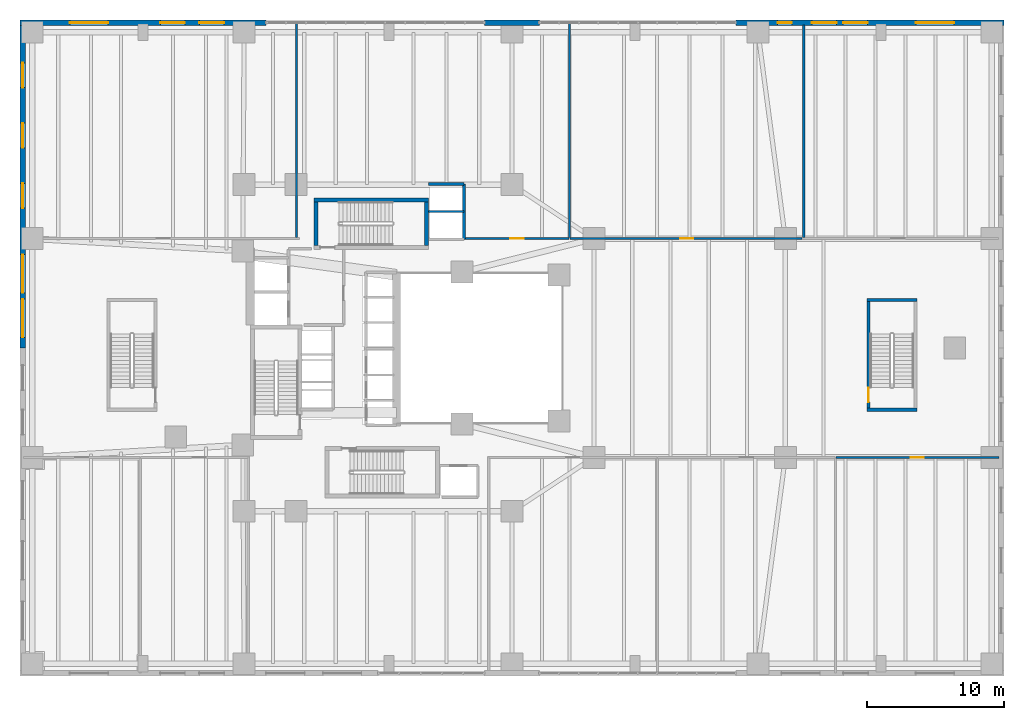
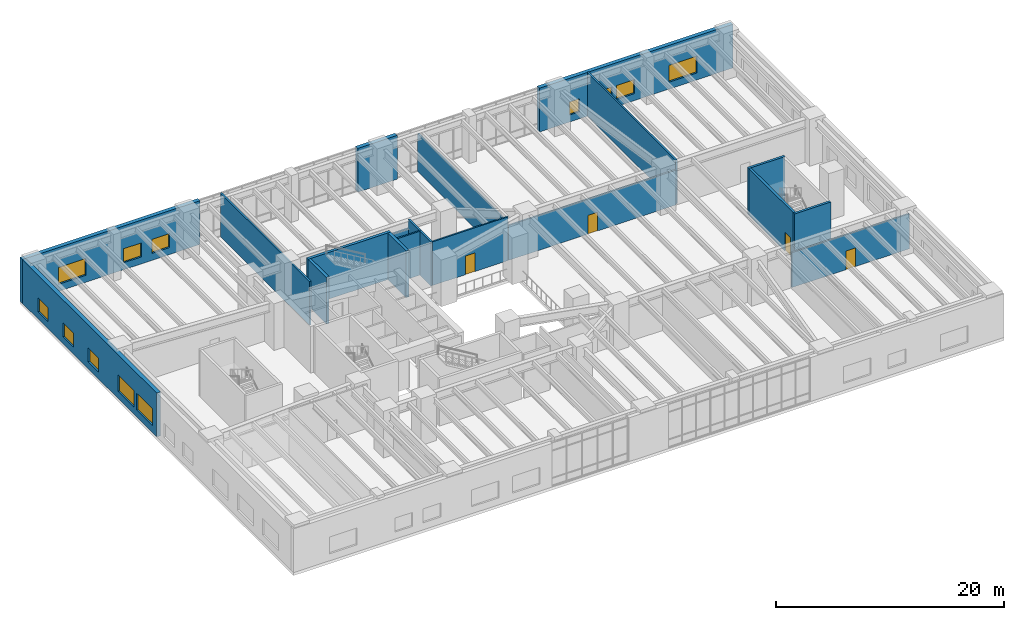
# One storey, part 23 of 26: 19 walls, 12 windows, 4 doors, 16 openings.
"""IFC4 building model written with IfcOpenShell, lengths in metres."""

from ifc_helpers import new_model, si_unit, direction, frame, frame_2d, origin, place, context, subcontext, project, spatial, rectangle, extrude, material, layer, layer_set, type_object, element, fill, save


model = new_model("IFC4")

# Units and contexts
model_context = context("Model", 3, precision=1e-05, world=origin(), true_north=direction((0.0, 1.0)))
body_context = subcontext(model_context, "Body", "Model", "MODEL_VIEW")
ifc_project = project(units=[si_unit("LENGTHUNIT", "METRE"), si_unit("AREAUNIT", "SQUARE_METRE"), si_unit("VOLUMEUNIT", "CUBIC_METRE"), si_unit("PLANEANGLEUNIT", "RADIAN"), si_unit("MASSUNIT", "GRAM", prefix="KILO"), si_unit("THERMODYNAMICTEMPERATUREUNIT", "KELVIN"), si_unit("POWERUNIT", "WATT")], contexts=[model_context])

# Site, building, storey
site_placement = place(None, origin())
site = spatial("IfcSite", under=ifc_project, at=site_placement, CompositionType="ELEMENT")
building_placement = place(site_placement, origin())
building = spatial("IfcBuilding", under=site, at=building_placement, Name="Skarre Station Tower", CompositionType="ELEMENT")
storey_placement = place(building_placement, frame((0.0, 0.0, 6.0)))
storey = spatial("IfcBuildingStorey", under=building, at=storey_placement, Name="L02", CompositionType="ELEMENT", Elevation=6.0)

# Wall, opening, door
ifc_material_1 = material(Name="Acoustic Steel-Stud Gypsum Partition", Category="steel")
ifc_layer_1 = layer(ifc_material_1, 0.14990234375, Name="Acoustic Steel-Stud Gypsum Partition")
ifc_layer_set_1 = layer_set([ifc_layer_1], Name="Acoustic Steel-Stud Gypsum Partition")
wall_type_1 = type_object("IfcWallType", Name="Fire-Rated Corridor Acoustic Partition 150", PredefinedType="PARTITIONING", material=ifc_layer_set_1)
wall_1_placement = place(storey_placement, frame((59.7041015625, 15.97998046875, 0.0), z_axis=(0.0, 0.0, 1.0), x_axis=(1.0, 0.0, 0.0)))
wall_1 = element("IfcWall", 1, at=wall_1_placement, inside=storey, type_object=wall_type_1, Name="L02 Interior Partition WL-PT-L02-PDSE3-CW", PredefinedType="PARTITIONING", context=body_context, shape_type="SweptSolid", body=[
    extrude(rectangle(XDim=11.916015625, YDim=0.14990234375, at=frame_2d((5.9580078125, 0.0))), origin(), (0.0, 0.0, 1.0), 3.741943359375),
])
opening_1_placement = place(wall_1_placement, frame((5.47802734375, 0.0, 0.0)))
opening_1 = element("IfcOpeningElement", 2, at=opening_1_placement, cuts=wall_1, Name="Opening DR-FD60", PredefinedType="OPENING", context=body_context, shape_type="SweptSolid", body=[
    extrude(rectangle(XDim=0.9599609375, YDim=2.0, at=frame_2d((0.47998046875, 1.0))), frame((0.0, 0.0849609375, 0.0), z_axis=(0.0, -1.0, 0.0), x_axis=(1.0, 0.0, 0.0)), (0.0, 0.0, 1.0), 0.169921875),
])
ifc_material_2 = material(Name="Nordic White-Oak Veneer Solid-Core Fire Leaf", Category="wood")
door_type_1 = type_object("IfcDoorType", Name="Corridor Suite Entry Fire Door FD60 960x2150", OperationType="SINGLE_SWING_LEFT", PredefinedType="DOOR", material=ifc_material_2)
door_1_placement = place(opening_1_placement, origin())
door_1 = element("IfcDoor", 3, at=door_1_placement, inside=storey, type_object=door_type_1, Name="L02 PDSE3 Entry Door", OperationType="SINGLE_SWING_LEFT", OverallHeight=2.0, OverallWidth=0.9599609375, PredefinedType="DOOR", context=body_context, shape_type="SweptSolid", body=[
    extrude(rectangle(XDim=0.9599609375, YDim=2.0, at=frame_2d((0.47998046875, 1.0))), frame((0.0, 0.02490234375, 0.0), z_axis=(0.0, -1.0, 0.0), x_axis=(1.0, 0.0, 0.0)), (0.0, 0.0, 1.0), 0.050048828125),
])
fill(opening_1, door_1)

wall_2_placement = place(storey_placement, frame((40.18701171875, 32.02001953125, 0.0), z_axis=(0.0, 0.0, 1.0), x_axis=(-1.0, 0.0, 0.0)))
wall_2 = element("IfcWall", 4, at=wall_2_placement, inside=storey, type_object=wall_type_1, Name="L02 Interior Partition WL-PT-L02-PDN2-CW", PredefinedType="PARTITIONING", context=body_context, shape_type="SweptSolid", body=[
    extrude(rectangle(XDim=7.64599609375, YDim=0.14990234375, at=frame_2d((3.822998046875, 0.0))), origin(), (0.0, 0.0, 1.0), 4.68994140625),
])
opening_2_placement = place(wall_2_placement, frame((3.343017578125, 0.0, 0.0)))
opening_2 = element("IfcOpeningElement", 5, at=opening_2_placement, cuts=wall_2, Name="Opening DR-FD60", PredefinedType="OPENING", context=body_context, shape_type="SweptSolid", body=[
    extrude(rectangle(XDim=0.9599609375, YDim=2.0, at=frame_2d((0.47998046875, 1.0))), frame((0.0, 0.0849609375, 0.0), z_axis=(0.0, -1.0, 0.0), x_axis=(1.0, 0.0, 0.0)), (0.0, 0.0, 1.0), 0.169921875),
])
door_2_placement = place(opening_2_placement, origin())
door_2 = element("IfcDoor", 6, at=door_2_placement, inside=storey, type_object=door_type_1, Name="L02 PDN2 Entry Door", OperationType="SINGLE_SWING_LEFT", OverallHeight=2.0, OverallWidth=0.9599609375, PredefinedType="DOOR", context=body_context, shape_type="SweptSolid", body=[
    extrude(rectangle(XDim=0.9599609375, YDim=2.0, at=frame_2d((0.47998046875, 1.0))), frame((0.0, 0.02490234375, 0.0), z_axis=(0.0, -1.0, 0.0), x_axis=(1.0, 0.0, 0.0)), (0.0, 0.0, 1.0), 0.050048828125),
])
fill(opening_2, door_2)

wall_3_placement = place(storey_placement, frame((57.214111328125, 32.02001953125, 0.0), z_axis=(0.0, 0.0, 1.0), x_axis=(-1.0, 0.0, 0.0)))
wall_3 = element("IfcWall", 7, at=wall_3_placement, inside=storey, type_object=wall_type_1, Name="L02 Interior Partition WL-PT-L02-PDN3-CW", PredefinedType="PARTITIONING", context=body_context, shape_type="SweptSolid", body=[
    extrude(rectangle(XDim=16.97509765625, YDim=0.14990234375, at=frame_2d((8.487548828125, 0.0))), origin(), (0.0, 0.0, 1.0), 3.741943359375),
])
opening_3_placement = place(wall_3_placement, frame((7.9560546875, 0.0, 0.0)))
opening_3 = element("IfcOpeningElement", 8, at=opening_3_placement, cuts=wall_3, Name="Opening DR-FD60", PredefinedType="OPENING", context=body_context, shape_type="SweptSolid", body=[
    extrude(rectangle(XDim=0.9599609375, YDim=2.0, at=frame_2d((0.47998046875, 1.0))), frame((0.0, 0.0849609375, 0.0), z_axis=(0.0, -1.0, 0.0), x_axis=(1.0, 0.0, 0.0)), (0.0, 0.0, 1.0), 0.169921875),
])
door_3_placement = place(opening_3_placement, origin())
door_3 = element("IfcDoor", 9, at=door_3_placement, inside=storey, type_object=door_type_1, Name="L02 PDN3 Entry Door", OperationType="SINGLE_SWING_LEFT", OverallHeight=2.0, OverallWidth=0.9599609375, PredefinedType="DOOR", context=body_context, shape_type="SweptSolid", body=[
    extrude(rectangle(XDim=0.9599609375, YDim=2.0, at=frame_2d((0.47998046875, 1.0))), frame((0.0, 0.02490234375, 0.0), z_axis=(0.0, -1.0, 0.0), x_axis=(1.0, 0.0, 0.0)), (0.0, 0.0, 1.0), 0.050048828125),
])
fill(opening_3, door_3)

# Wall, openings, windows
ifc_material_3 = material(Name="Precast concrete C45/55", Category="concrete")
ifc_layer_2 = layer(ifc_material_3, 0.39990234375, Name="Precast concrete C45/55")
ifc_layer_set_2 = layer_set([ifc_layer_2], Name="Precast concrete C45/55")
wall_type_2 = type_object("IfcWallType", Name="Nordic Granite Station Podium Wall 400", PredefinedType="STANDARD", material=ifc_layer_set_2)
wall_4_placement = place(storey_placement, frame((0.0, 47.800048828125, 0.0), z_axis=(0.0, 0.0, 1.0), x_axis=(1.0, 0.0, 0.0)))
wall_4 = element("IfcWall", 10, at=wall_4_placement, inside=storey, type_object=wall_type_2, Name="L02 North Podium Granite Wall NA", PredefinedType="STANDARD", context=body_context, shape_type="SweptSolid", body=[
    extrude(rectangle(XDim=18.0, YDim=0.39990234375, at=frame_2d((9.0, 0.0))), origin(), (0.0, 0.0, 1.0), 4.68994140625),
])
opening_4_placement = place(wall_4_placement, frame((3.64990234375, 0.0, 0.75)))
opening_4 = element("IfcOpeningElement", 11, at=opening_4_placement, cuts=wall_4, Name="Opening WN-POD", PredefinedType="OPENING", context=body_context, shape_type="SweptSolid", body=[
    extrude(rectangle(XDim=2.800048828125, YDim=1.800048828125, at=frame_2d((1.39990234375, 0.89990234375))), frame((0.0, 0.2099609375, 0.0), z_axis=(0.0, -1.0, 0.0), x_axis=(1.0, 0.0, 0.0)), (0.0, 0.0, 1.0), 0.419921875),
])
opening_5_placement = place(wall_4_placement, frame((10.27001953125, 0.0, 0.75)))
opening_5 = element("IfcOpeningElement", 12, at=opening_5_placement, cuts=wall_4, Name="Opening WN-Z1A", PredefinedType="OPENING", context=body_context, shape_type="SweptSolid", body=[
    extrude(rectangle(XDim=1.800048828125, YDim=1.5, at=frame_2d((0.89990234375, 0.75))), frame((0.0, 0.2099609375, 0.0), z_axis=(0.0, -1.0, 0.0), x_axis=(1.0, 0.0, 0.0)), (0.0, 0.0, 1.0), 0.419921875),
])
opening_6_placement = place(wall_4_placement, frame((13.1298828125, 0.0, 0.75)))
opening_6 = element("IfcOpeningElement", 13, at=opening_6_placement, cuts=wall_4, Name="Opening WN-Z1A", PredefinedType="OPENING", context=body_context, shape_type="SweptSolid", body=[
    extrude(rectangle(XDim=1.800048828125, YDim=1.5, at=frame_2d((0.89990234375, 0.75))), frame((0.0, 0.2099609375, 0.0), z_axis=(0.0, -1.0, 0.0), x_axis=(1.0, 0.0, 0.0)), (0.0, 0.0, 1.0), 0.419921875),
])
ifc_material_4 = material(Name="Low-Iron Triple Glazing with Bronze Anodized Frame", Category="glass")
window_type_1 = type_object("IfcWindowType", Name="Nordic Punched Triple-Glazed Window 1800x1500", PartitioningType="SINGLE_PANEL", PredefinedType="WINDOW", material=ifc_material_4)
window_1_placement = place(opening_5_placement, origin())
window_1 = element("IfcWindow", 14, at=window_1_placement, inside=storey, type_object=window_type_1, Name="L02 Facade Window WL-POD-L02-NA-2", OverallHeight=1.5, OverallWidth=1.800048828125, PartitioningType="SINGLE_PANEL", PredefinedType="WINDOW", context=body_context, shape_type="SweptSolid", body=[
    extrude(rectangle(XDim=1.800048828125, YDim=1.5, at=frame_2d((0.89990234375, 0.75))), frame((0.0, 0.030029296875, 0.0), z_axis=(0.0, -1.0, 0.0), x_axis=(1.0, 0.0, 0.0)), (0.0, 0.0, 1.0), 0.06005859375),
])
fill(opening_5, window_1)
window_2_placement = place(opening_6_placement, origin())
window_2 = element("IfcWindow", 15, at=window_2_placement, inside=storey, type_object=window_type_1, Name="L02 Facade Window WL-POD-L02-NA-3", OverallHeight=1.5, OverallWidth=1.800048828125, PartitioningType="SINGLE_PANEL", PredefinedType="WINDOW", context=body_context, shape_type="SweptSolid", body=[
    extrude(rectangle(XDim=1.800048828125, YDim=1.5, at=frame_2d((0.89990234375, 0.75))), frame((0.0, 0.030029296875, 0.0), z_axis=(0.0, -1.0, 0.0), x_axis=(1.0, 0.0, 0.0)), (0.0, 0.0, 1.0), 0.06005859375),
])
fill(opening_6, window_2)
window_type_2 = type_object("IfcWindowType", Name="Podium Clerestory Ribbon Window 2800x1800", PartitioningType="SINGLE_PANEL", PredefinedType="WINDOW", material=ifc_material_4)
window_3_placement = place(opening_4_placement, origin())
window_3 = element("IfcWindow", 16, at=window_3_placement, inside=storey, type_object=window_type_2, Name="L02 Facade Window WL-POD-L02-NA-1", OverallHeight=1.800048828125, OverallWidth=2.800048828125, PartitioningType="SINGLE_PANEL", PredefinedType="WINDOW", context=body_context, shape_type="SweptSolid", body=[
    extrude(rectangle(XDim=2.800048828125, YDim=1.800048828125, at=frame_2d((1.39990234375, 0.89990234375))), frame((0.0, 0.030029296875, 0.0), z_axis=(0.0, -1.0, 0.0), x_axis=(1.0, 0.0, 0.0)), (0.0, 0.0, 1.0), 0.06005859375),
])
fill(opening_4, window_3)

# Wall
wall_5_placement = place(storey_placement, frame((34.0, 47.800048828125, 0.0), z_axis=(0.0, 0.0, 1.0), x_axis=(1.0, 0.0, 0.0)))
element("IfcWall", 17, at=wall_5_placement, inside=storey, type_object=wall_type_2, Name="L02 North Podium Granite Wall NB", PredefinedType="STANDARD", context=body_context, shape_type="SweptSolid", body=[
    extrude(rectangle(XDim=4.0, YDim=0.39990234375, at=frame_2d((2.0, 0.0))), origin(), (0.0, 0.0, 1.0), 4.68994140625),
])

# Wall, openings, windows
wall_6_placement = place(storey_placement, frame((52.39990234375, 47.800048828125, 0.0), z_axis=(0.0, 0.0, 1.0), x_axis=(1.0, 0.0, 0.0)))
wall_6 = element("IfcWall", 18, at=wall_6_placement, inside=storey, type_object=wall_type_2, Name="L02 North Podium Granite Wall NC", PredefinedType="STANDARD", context=body_context, shape_type="SweptSolid", body=[
    extrude(rectangle(XDim=19.60009765625, YDim=0.39990234375, at=frame_2d((9.800048828125, 0.0))), origin(), (0.0, 0.0, 1.0), 4.68994140625),
])
opening_7_placement = place(wall_6_placement, frame((3.035888671875, 0.0, 0.75)))
opening_7 = element("IfcOpeningElement", 19, at=opening_7_placement, cuts=wall_6, Name="Opening WN-SLT", PredefinedType="OPENING", context=body_context, shape_type="SweptSolid", body=[
    extrude(rectangle(XDim=1.050048828125, YDim=1.39990234375, at=frame_2d((0.52490234375, 0.699951171875))), frame((0.0, 0.2099609375, 0.0), z_axis=(0.0, -1.0, 0.0), x_axis=(1.0, 0.0, 0.0)), (0.0, 0.0, 1.0), 0.419921875),
])
opening_8_placement = place(wall_6_placement, frame((5.544921875, 0.0, 0.75)))
opening_8 = element("IfcOpeningElement", 20, at=opening_8_placement, cuts=wall_6, Name="Opening WN-Z1A", PredefinedType="OPENING", context=body_context, shape_type="SweptSolid", body=[
    extrude(rectangle(XDim=1.800048828125, YDim=1.5, at=frame_2d((0.89990234375, 0.75))), frame((0.0, 0.2099609375, 0.0), z_axis=(0.0, -1.0, 0.0), x_axis=(1.0, 0.0, 0.0)), (0.0, 0.0, 1.0), 0.419921875),
])
opening_9_placement = place(wall_6_placement, frame((7.822021484375, 0.0, 0.75)))
opening_9 = element("IfcOpeningElement", 21, at=opening_9_placement, cuts=wall_6, Name="Opening WN-Z1A", PredefinedType="OPENING", context=body_context, shape_type="SweptSolid", body=[
    extrude(rectangle(XDim=1.800048828125, YDim=1.5, at=frame_2d((0.89990234375, 0.75))), frame((0.0, 0.2099609375, 0.0), z_axis=(0.0, -1.0, 0.0), x_axis=(1.0, 0.0, 0.0)), (0.0, 0.0, 1.0), 0.419921875),
])
opening_10_placement = place(wall_6_placement, frame((13.14990234375, 0.0, 0.75)))
opening_10 = element("IfcOpeningElement", 22, at=opening_10_placement, cuts=wall_6, Name="Opening WN-POD", PredefinedType="OPENING", context=body_context, shape_type="SweptSolid", body=[
    extrude(rectangle(XDim=2.800048828125, YDim=1.800048828125, at=frame_2d((1.39990234375, 0.89990234375))), frame((0.0, 0.2099609375, 0.0), z_axis=(0.0, -1.0, 0.0), x_axis=(1.0, 0.0, 0.0)), (0.0, 0.0, 1.0), 0.419921875),
])
window_type_3 = type_object("IfcWindowType", Name="Nordic Corner Slot Window 1050x1400", PartitioningType="SINGLE_PANEL", PredefinedType="WINDOW", material=ifc_material_4)
window_4_placement = place(opening_7_placement, origin())
window_4 = element("IfcWindow", 23, at=window_4_placement, inside=storey, type_object=window_type_3, Name="L02 Facade Window WL-POD-L02-NC-1", OverallHeight=1.39990234375, OverallWidth=1.050048828125, PartitioningType="SINGLE_PANEL", PredefinedType="WINDOW", context=body_context, shape_type="SweptSolid", body=[
    extrude(rectangle(XDim=1.050048828125, YDim=1.39990234375, at=frame_2d((0.52490234375, 0.699951171875))), frame((0.0, 0.030029296875, 0.0), z_axis=(0.0, -1.0, 0.0), x_axis=(1.0, 0.0, 0.0)), (0.0, 0.0, 1.0), 0.06005859375),
])
fill(opening_7, window_4)
window_5_placement = place(opening_8_placement, origin())
window_5 = element("IfcWindow", 24, at=window_5_placement, inside=storey, type_object=window_type_1, Name="L02 Facade Window WL-POD-L02-NC-2", OverallHeight=1.5, OverallWidth=1.800048828125, PartitioningType="SINGLE_PANEL", PredefinedType="WINDOW", context=body_context, shape_type="SweptSolid", body=[
    extrude(rectangle(XDim=1.800048828125, YDim=1.5, at=frame_2d((0.89990234375, 0.75))), frame((0.0, 0.030029296875, 0.0), z_axis=(0.0, -1.0, 0.0), x_axis=(1.0, 0.0, 0.0)), (0.0, 0.0, 1.0), 0.06005859375),
])
fill(opening_8, window_5)
window_6_placement = place(opening_9_placement, origin())
window_6 = element("IfcWindow", 25, at=window_6_placement, inside=storey, type_object=window_type_1, Name="L02 Facade Window WL-POD-L02-NC-3", OverallHeight=1.5, OverallWidth=1.800048828125, PartitioningType="SINGLE_PANEL", PredefinedType="WINDOW", context=body_context, shape_type="SweptSolid", body=[
    extrude(rectangle(XDim=1.800048828125, YDim=1.5, at=frame_2d((0.89990234375, 0.75))), frame((0.0, 0.030029296875, 0.0), z_axis=(0.0, -1.0, 0.0), x_axis=(1.0, 0.0, 0.0)), (0.0, 0.0, 1.0), 0.06005859375),
])
fill(opening_9, window_6)
window_7_placement = place(opening_10_placement, origin())
window_7 = element("IfcWindow", 26, at=window_7_placement, inside=storey, type_object=window_type_2, Name="L02 Facade Window WL-POD-L02-NC-4", OverallHeight=1.800048828125, OverallWidth=2.800048828125, PartitioningType="SINGLE_PANEL", PredefinedType="WINDOW", context=body_context, shape_type="SweptSolid", body=[
    extrude(rectangle(XDim=2.800048828125, YDim=1.800048828125, at=frame_2d((1.39990234375, 0.89990234375))), frame((0.0, 0.030029296875, 0.0), z_axis=(0.0, -1.0, 0.0), x_axis=(1.0, 0.0, 0.0)), (0.0, 0.0, 1.0), 0.06005859375),
])
fill(opening_10, window_7)

wall_7_placement = place(storey_placement, frame((0.199951171875, 24.0, 0.0), z_axis=(0.0, 0.0, 1.0), x_axis=(0.0, 1.0, 0.0)))
wall_7 = element("IfcWall", 27, at=wall_7_placement, inside=storey, type_object=wall_type_2, Name="L02 Podium Granite Wall WB", PredefinedType="STANDARD", context=body_context, shape_type="SweptSolid", body=[
    extrude(rectangle(XDim=23.60009765625, YDim=0.39990234375, at=frame_2d((11.800048828125, 0.0))), origin(), (0.0, 0.0, 1.0), 4.68994140625),
])
opening_11_placement = place(wall_7_placement, frame((0.778076171875, 0.0, 0.75)))
opening_11 = element("IfcOpeningElement", 28, at=opening_11_placement, cuts=wall_7, Name="Opening WN-POD", PredefinedType="OPENING", context=body_context, shape_type="SweptSolid", body=[
    extrude(rectangle(XDim=2.800048828125, YDim=1.800048828125, at=frame_2d((1.39990234375, 0.89990234375))), frame((0.0, 0.2099609375, 0.0), z_axis=(0.0, -1.0, 0.0), x_axis=(1.0, 0.0, 0.0)), (0.0, 0.0, 1.0), 0.419921875),
])
opening_12_placement = place(wall_7_placement, frame((4.032958984375, 0.0, 0.75)))
opening_12 = element("IfcOpeningElement", 29, at=opening_12_placement, cuts=wall_7, Name="Opening WN-POD", PredefinedType="OPENING", context=body_context, shape_type="SweptSolid", body=[
    extrude(rectangle(XDim=2.800048828125, YDim=1.800048828125, at=frame_2d((1.39990234375, 0.89990234375))), frame((0.0, 0.2099609375, 0.0), z_axis=(0.0, -1.0, 0.0), x_axis=(1.0, 0.0, 0.0)), (0.0, 0.0, 1.0), 0.419921875),
])
opening_13_placement = place(wall_7_placement, frame((10.242919921875, 0.0, 0.75)))
opening_13 = element("IfcOpeningElement", 30, at=opening_13_placement, cuts=wall_7, Name="Opening WN-Z1A", PredefinedType="OPENING", context=body_context, shape_type="SweptSolid", body=[
    extrude(rectangle(XDim=1.800048828125, YDim=1.5, at=frame_2d((0.89990234375, 0.75))), frame((0.0, 0.2099609375, 0.0), z_axis=(0.0, -1.0, 0.0), x_axis=(1.0, 0.0, 0.0)), (0.0, 0.0, 1.0), 0.419921875),
])
opening_14_placement = place(wall_7_placement, frame((14.64990234375, 0.0, 0.75)))
opening_14 = element("IfcOpeningElement", 31, at=opening_14_placement, cuts=wall_7, Name="Opening WN-Z1A", PredefinedType="OPENING", context=body_context, shape_type="SweptSolid", body=[
    extrude(rectangle(XDim=1.800048828125, YDim=1.5, at=frame_2d((0.89990234375, 0.75))), frame((0.0, 0.2099609375, 0.0), z_axis=(0.0, -1.0, 0.0), x_axis=(1.0, 0.0, 0.0)), (0.0, 0.0, 1.0), 0.419921875),
])
opening_15_placement = place(wall_7_placement, frame((19.056884765625, 0.0, 0.75)))
opening_15 = element("IfcOpeningElement", 32, at=opening_15_placement, cuts=wall_7, Name="Opening WN-Z1A", PredefinedType="OPENING", context=body_context, shape_type="SweptSolid", body=[
    extrude(rectangle(XDim=1.800048828125, YDim=1.5, at=frame_2d((0.89990234375, 0.75))), frame((0.0, 0.2099609375, 0.0), z_axis=(0.0, -1.0, 0.0), x_axis=(1.0, 0.0, 0.0)), (0.0, 0.0, 1.0), 0.419921875),
])
window_8_placement = place(opening_13_placement, origin())
window_8 = element("IfcWindow", 33, at=window_8_placement, inside=storey, type_object=window_type_1, Name="L02 Facade Window WL-POD-L02-WB-3", OverallHeight=1.5, OverallWidth=1.800048828125, PartitioningType="SINGLE_PANEL", PredefinedType="WINDOW", context=body_context, shape_type="SweptSolid", body=[
    extrude(rectangle(XDim=1.800048828125, YDim=1.5, at=frame_2d((0.89990234375, 0.75))), frame((0.0, 0.030029296875, 0.0), z_axis=(0.0, -1.0, 0.0), x_axis=(1.0, 0.0, 0.0)), (0.0, 0.0, 1.0), 0.06005859375),
])
fill(opening_13, window_8)
window_9_placement = place(opening_14_placement, origin())
window_9 = element("IfcWindow", 34, at=window_9_placement, inside=storey, type_object=window_type_1, Name="L02 Facade Window WL-POD-L02-WB-4", OverallHeight=1.5, OverallWidth=1.800048828125, PartitioningType="SINGLE_PANEL", PredefinedType="WINDOW", context=body_context, shape_type="SweptSolid", body=[
    extrude(rectangle(XDim=1.800048828125, YDim=1.5, at=frame_2d((0.89990234375, 0.75))), frame((0.0, 0.030029296875, 0.0), z_axis=(0.0, -1.0, 0.0), x_axis=(1.0, 0.0, 0.0)), (0.0, 0.0, 1.0), 0.06005859375),
])
fill(opening_14, window_9)
window_10_placement = place(opening_15_placement, origin())
window_10 = element("IfcWindow", 35, at=window_10_placement, inside=storey, type_object=window_type_1, Name="L02 Facade Window WL-POD-L02-WB-5", OverallHeight=1.5, OverallWidth=1.800048828125, PartitioningType="SINGLE_PANEL", PredefinedType="WINDOW", context=body_context, shape_type="SweptSolid", body=[
    extrude(rectangle(XDim=1.800048828125, YDim=1.5, at=frame_2d((0.89990234375, 0.75))), frame((0.0, 0.030029296875, 0.0), z_axis=(0.0, -1.0, 0.0), x_axis=(1.0, 0.0, 0.0)), (0.0, 0.0, 1.0), 0.06005859375),
])
fill(opening_15, window_10)
window_11_placement = place(opening_11_placement, origin())
window_11 = element("IfcWindow", 36, at=window_11_placement, inside=storey, type_object=window_type_2, Name="L02 Facade Window WL-POD-L02-WB-1", OverallHeight=1.800048828125, OverallWidth=2.800048828125, PartitioningType="SINGLE_PANEL", PredefinedType="WINDOW", context=body_context, shape_type="SweptSolid", body=[
    extrude(rectangle(XDim=2.800048828125, YDim=1.800048828125, at=frame_2d((1.39990234375, 0.89990234375))), frame((0.0, 0.030029296875, 0.0), z_axis=(0.0, -1.0, 0.0), x_axis=(1.0, 0.0, 0.0)), (0.0, 0.0, 1.0), 0.06005859375),
])
fill(opening_11, window_11)
window_12_placement = place(opening_12_placement, origin())
window_12 = element("IfcWindow", 37, at=window_12_placement, inside=storey, type_object=window_type_2, Name="L02 Facade Window WL-POD-L02-WB-2", OverallHeight=1.800048828125, OverallWidth=2.800048828125, PartitioningType="SINGLE_PANEL", PredefinedType="WINDOW", context=body_context, shape_type="SweptSolid", body=[
    extrude(rectangle(XDim=2.800048828125, YDim=1.800048828125, at=frame_2d((1.39990234375, 0.89990234375))), frame((0.0, 0.030029296875, 0.0), z_axis=(0.0, -1.0, 0.0), x_axis=(1.0, 0.0, 0.0)), (0.0, 0.0, 1.0), 0.06005859375),
])
fill(opening_12, window_12)

# Walls
ifc_material_5 = material(Name="Concrete C50/60", Category="concrete")
ifc_layer_3 = layer(ifc_material_5, 0.239990234375, Name="Concrete C50/60")
ifc_layer_set_3 = layer_set([ifc_layer_3], Name="Concrete C50/60")
wall_type_3 = type_object("IfcWallType", Name="RC Core Shear Wall 240", PredefinedType="SHEAR", material=ifc_layer_set_3)
for number, where, z_axis, x_axis, name in (
    (38, (61.9599609375, 19.47998046875, 0.0), (0.0, 0.0, 1.0), (1.0, 0.0, 0.0), "L02 Podium Stair ST-5 South Shear Wall"),
    (39, (65.639892578125, 27.52001953125, 0.0), (0.0, 0.0, 1.0), (-1.0, 0.0, 0.0), "L02 Podium Stair ST-5 North Shear Wall"),
):
    element("IfcWall", number, at=place(storey_placement, frame(where, z_axis=z_axis, x_axis=x_axis)), inside=storey, type_object=wall_type_3, Name=name, PredefinedType="SHEAR", context=body_context, shape_type="SweptSolid", body=[
        extrude(rectangle(XDim=3.679931640625, YDim=0.239990234375, at=frame_2d((1.83984375, 0.0))), origin(), (0.0, 0.0, 1.0), 5.0),
    ])

# Wall, opening, door
wall_8_placement = place(storey_placement, frame((62.080078125, 27.39990234375, 0.0), z_axis=(0.0, 0.0, 1.0), x_axis=(0.0, -1.0, 0.0)))
wall_8 = element("IfcWall", 40, at=wall_8_placement, inside=storey, type_object=wall_type_3, Name="L02 Podium Stair ST-5 West Shear Wall", PredefinedType="SHEAR", context=body_context, shape_type="SweptSolid", body=[
    extrude(rectangle(XDim=7.7998046875, YDim=0.239990234375, at=frame_2d((3.89990234375, 0.0))), origin(), (0.0, 0.0, 1.0), 5.0),
])
opening_16_placement = place(wall_8_placement, frame((6.31005859375, 0.0, 0.0)))
opening_16 = element("IfcOpeningElement", 41, at=opening_16_placement, cuts=wall_8, Name="Opening DR-FD90", PredefinedType="OPENING", context=body_context, shape_type="SweptSolid", body=[
    extrude(rectangle(XDim=1.050048828125, YDim=2.0, at=frame_2d((0.52490234375, 1.0))), frame((0.0, 0.1298828125, 0.0), z_axis=(0.0, -1.0, 0.0), x_axis=(1.0, 0.0, 0.0)), (0.0, 0.0, 1.0), 0.260009765625),
])
ifc_material_6 = material(Name="Fire-Rated Insulated Steel Frame & Timber Core Leaf", Category="steel")
door_type_2 = type_object("IfcDoorType", Name="Stair & FSAE Lobby Fire Door FD90 1050x2150", OperationType="SINGLE_SWING_RIGHT", PredefinedType="DOOR", material=ifc_material_6)
door_4_placement = place(opening_16_placement, origin())
door_4 = element("IfcDoor", 42, at=door_4_placement, inside=storey, type_object=door_type_2, Name="L02 Podium Stair ST-5 Exit Door", OperationType="SINGLE_SWING_LEFT", OverallHeight=2.0, OverallWidth=1.050048828125, PredefinedType="DOOR", context=body_context, shape_type="SweptSolid", body=[
    extrude(rectangle(XDim=1.050048828125, YDim=2.0, at=frame_2d((0.52490234375, 1.0))), frame((0.0, 0.02490234375, 0.0), z_axis=(0.0, -1.0, 0.0), x_axis=(1.0, 0.0, 0.0)), (0.0, 0.0, 1.0), 0.050048828125),
])
fill(opening_16, door_4)

# Walls
ifc_layer_4 = layer(ifc_material_5, 0.280029296875, Name="Concrete C50/60")
ifc_layer_set_4 = layer_set([ifc_layer_4], Name="Concrete C50/60")
wall_type_4 = type_object("IfcWallType", Name="RC Core Shear Wall 280", PredefinedType="SHEAR", material=ifc_layer_set_4)
wall_9_placement = place(storey_placement, frame((29.8798828125, 34.840087890625, 0.0), z_axis=(0.0, 0.0, 1.0), x_axis=(-1.0, 0.0, 0.0)))
element("IfcWall", 43, at=wall_9_placement, inside=storey, type_object=wall_type_4, Name="L02 Stair ST-3 North Shear Wall", PredefinedType="SHEAR", context=body_context, shape_type="SweptSolid", body=[
    extrude(rectangle(XDim=8.35986328125, YDim=0.280029296875, at=frame_2d((4.179931640625, 0.0))), origin(), (0.0, 0.0, 1.0), 5.0),
])
for number, where, z_axis, x_axis, name in (
    (44, (21.659912109375, 34.699951171875, 0.0), (0.0, 0.0, 1.0), (0.0, -1.0, 0.0), "L02 Stair ST-3 West Shear Wall"),
    (45, (29.739990234375, 31.5, 0.0), (0.0, 0.0, 1.0), (0.0, 1.0, 0.0), "L02 Stair ST-3 East Shear Wall"),
):
    element("IfcWall", number, at=place(storey_placement, frame(where, z_axis=z_axis, x_axis=x_axis)), inside=storey, type_object=wall_type_4, Name=name, PredefinedType="SHEAR", context=body_context, shape_type="SweptSolid", body=[
        extrude(rectangle(XDim=3.199951171875, YDim=0.280029296875, at=frame_2d((1.60009765625, 0.0))), origin(), (0.0, 0.0, 1.0), 5.0),
    ])
ifc_material_7 = material(Name="Gypsum Concrete Shaft Assembly C30/37", Category="concrete")
ifc_layer_5 = layer(ifc_material_7, 0.199951171875, Name="Gypsum Concrete Shaft Assembly C30/37")
ifc_layer_set_5 = layer_set([ifc_layer_5], Name="Gypsum Concrete Shaft Assembly C30/37")
wall_type_5 = type_object("IfcWallType", Name="Shaft & Core Fire Partition 200", PredefinedType="PARTITIONING", material=ifc_layer_set_5)
wall_10_placement = place(storey_placement, frame((32.47998046875, 31.949951171875, 0.0), z_axis=(0.0, 0.0, 1.0), x_axis=(0.0, 1.0, 0.0)))
element("IfcWall", 46, at=wall_10_placement, inside=storey, type_object=wall_type_5, Name="L02 Interior Partition WL-PT-L02-EX-E", PredefinedType="PARTITIONING", context=body_context, shape_type="SweptSolid", body=[
    extrude(rectangle(XDim=4.050048828125, YDim=0.199951171875, at=frame_2d((2.02490234375, 0.0))), origin(), (0.0, 0.0, 1.0), 4.68994140625),
])
wall_11_placement = place(storey_placement, frame((29.8798828125, 36.0, 0.0), z_axis=(0.0, 0.0, 1.0), x_axis=(1.0, 0.0, 0.0)))
element("IfcWall", 47, at=wall_11_placement, inside=storey, type_object=wall_type_5, Name="L02 Interior Partition WL-PT-L02-EX-N", PredefinedType="PARTITIONING", context=body_context, shape_type="SweptSolid", body=[
    extrude(rectangle(XDim=2.60009765625, YDim=0.199951171875, at=frame_2d((1.300048828125, 0.0))), origin(), (0.0, 0.0, 1.0), 3.741943359375),
])
wall_12_placement = place(storey_placement, frame((29.875, 33.97998046875, 0.0), z_axis=(0.0, 0.0, 1.0), x_axis=(1.0, 0.0, 0.0)))
element("IfcWall", 48, at=wall_12_placement, inside=storey, type_object=wall_type_5, Name="L02 Interior Partition WL-PT-L02-EX-DIV", PredefinedType="PARTITIONING", context=body_context, shape_type="SweptSolid", body=[
    extrude(rectangle(XDim=2.60498046875, YDim=0.159912109375, at=frame_2d((1.302490234375, 0.0))), origin(), (0.0, 0.0, 1.0), 4.68994140625),
])
ifc_layer_6 = layer(ifc_material_1, 0.1650390625, Name="Acoustic Steel-Stud Gypsum Partition")
ifc_layer_set_6 = layer_set([ifc_layer_6], Name="Acoustic Steel-Stud Gypsum Partition")
wall_type_6 = type_object("IfcWallType", Name="Suite Demising Acoustic Partition 165", PredefinedType="PARTITIONING", material=ifc_layer_set_6)
wall_13_placement = place(storey_placement, frame((20.22607421875, 32.090087890625, 0.0), z_axis=(0.0, 0.0, 1.0), x_axis=(0.0, 1.0, 0.0)))
element("IfcWall", 49, at=wall_13_placement, inside=storey, type_object=wall_type_6, Name="L02 Interior Partition WL-PT-L02-PDN-P1", PredefinedType="PARTITIONING", context=body_context, shape_type="SweptSolid", body=[
    extrude(rectangle(XDim=15.639892578125, YDim=0.1650390625, at=frame_2d((7.81982421875, 0.0))), origin(), (0.0, 0.0, 1.0), 4.68994140625),
])
wall_14_placement = place(storey_placement, frame((40.212890625, 32.090087890625, 0.0), z_axis=(0.0, 0.0, 1.0), x_axis=(0.0, 1.0, 0.0)))
element("IfcWall", 50, at=wall_14_placement, inside=storey, type_object=wall_type_6, Name="L02 Interior Partition WL-PT-L02-PDN-P2", PredefinedType="PARTITIONING", context=body_context, shape_type="SweptSolid", body=[
    extrude(rectangle(XDim=15.639892578125, YDim=0.1650390625, at=frame_2d((7.81982421875, 0.0))), origin(), (0.0, 0.0, 1.0), 4.08203125),
])
wall_15_placement = place(storey_placement, frame((57.343994140625, 32.090087890625, 0.0), z_axis=(0.0, 0.0, 1.0), x_axis=(0.0, 1.0, 0.0)))
element("IfcWall", 51, at=wall_15_placement, inside=storey, type_object=wall_type_6, Name="L02 Interior Partition WL-PT-L02-PDN-P3", PredefinedType="PARTITIONING", context=body_context, shape_type="SweptSolid", body=[
    extrude(rectangle(XDim=15.539794921875, YDim=0.1650390625, at=frame_2d((7.77001953125, 0.0))), origin(), (0.0, 0.0, 1.0), 4.68994140625),
])

save(model, "model.ifc")
